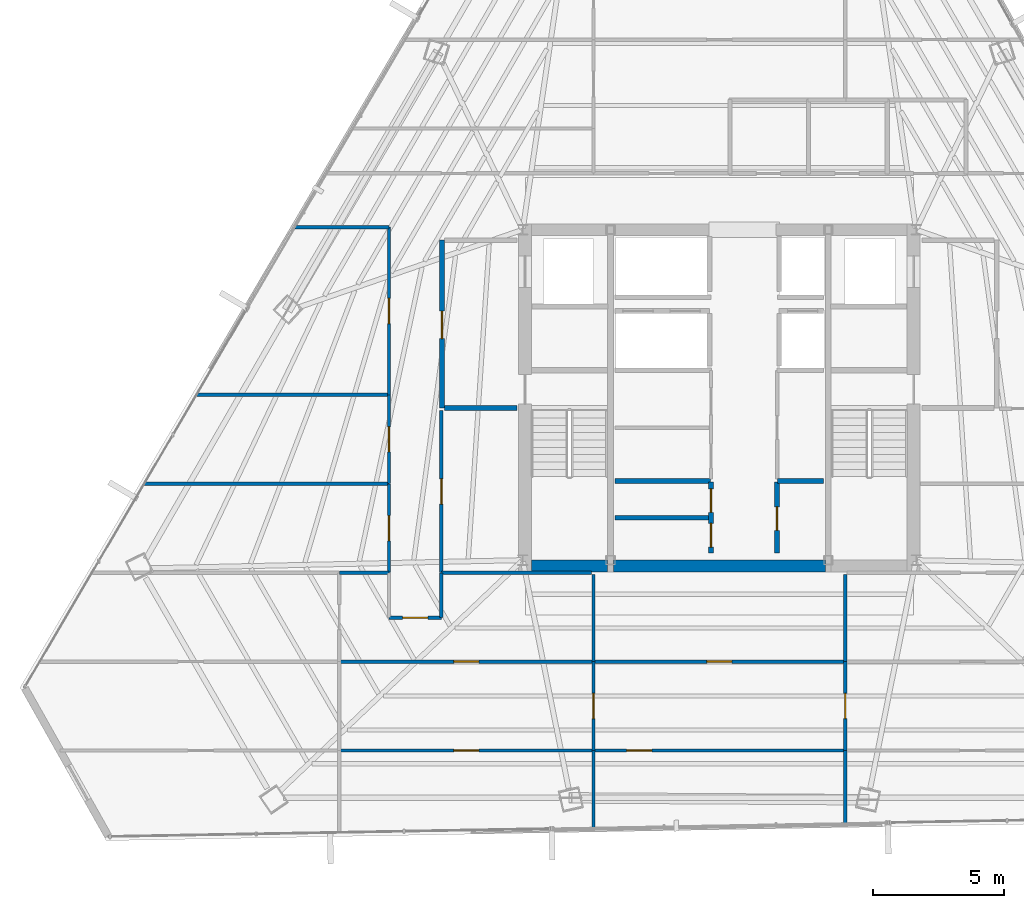
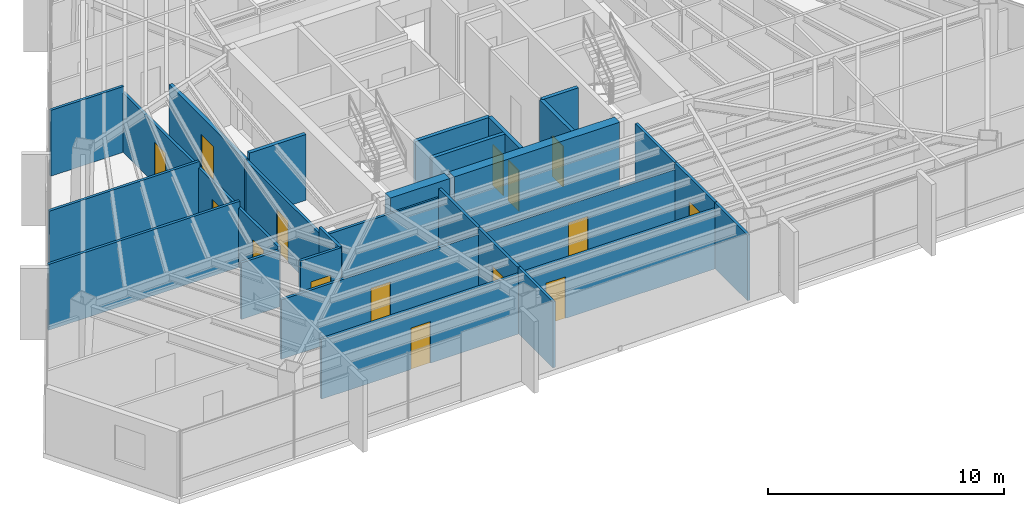
# One storey, part 35 of 42: 30 walls, 15 doors, 15 openings.
"""IFC4 building model written with IfcOpenShell, lengths in metres."""

from ifc_helpers import new_model, si_unit, direction, frame, frame_2d, origin, place, context, subcontext, project, spatial, rectangle, extrude, material, layer, layer_set, type_object, element, fill, save


model = new_model("IFC4")

# Units and contexts
model_context = context("Model", 3, precision=1e-05, world=origin(), true_north=direction((0.0, 1.0)))
body_context = subcontext(model_context, "Body", "Model", "MODEL_VIEW")
ifc_project = project(units=[si_unit("LENGTHUNIT", "METRE"), si_unit("AREAUNIT", "SQUARE_METRE"), si_unit("VOLUMEUNIT", "CUBIC_METRE"), si_unit("PLANEANGLEUNIT", "RADIAN"), si_unit("MASSUNIT", "GRAM", prefix="KILO")], contexts=[model_context])

# Site, building, storey
site_placement = place(None, origin())
site = spatial("IfcSite", under=ifc_project, at=site_placement, CompositionType="ELEMENT")
building_placement = place(site_placement, origin())
building = spatial("IfcBuilding", under=site, at=building_placement, Name="Caelisora Broadcast Tower", CompositionType="ELEMENT")
storey_placement = place(building_placement, frame((0.0, 0.0, 202.300048828125)))
storey = spatial("IfcBuildingStorey", under=building, at=storey_placement, Name="L53", CompositionType="ELEMENT", Elevation=202.300048828125)

# Walls
ifc_material_1 = material(Name="Concrete 50 MPa (AS 3600 S50)", Category="concrete")
ifc_layer_1 = layer(ifc_material_1, 0.449951171875, Name="Concrete 50 MPa (AS 3600 S50)")
ifc_layer_set_1 = layer_set([ifc_layer_1], Name="Concrete 50 MPa (AS 3600 S50)")
wall_type_1 = type_object("IfcWallType", Name="CW5", PredefinedType="SHEAR", material=ifc_layer_set_1)
wall_1_placement = place(storey_placement, frame((30.840087890625, 17.175048828125, 0.0), z_axis=(0.0, 0.0, 1.0), x_axis=(1.0, 0.0, 0.0)))
element("IfcWall", 1, at=wall_1_placement, inside=storey, type_object=wall_type_1, Name="L53 core shear wall CW5", PredefinedType="SHEAR", context=body_context, shape_type="SweptSolid", body=[
    extrude(rectangle(XDim=2.89990234375, YDim=0.449951171875, at=frame_2d((1.449951171875, 0.0))), origin(), (0.0, 0.0, 1.0), 3.64990234375),
])
wall_2_placement = place(storey_placement, frame((33.9599609375, 17.175048828125, 0.0), z_axis=(0.0, 0.0, 1.0), x_axis=(1.0, 0.0, 0.0)))
element("IfcWall", 2, at=wall_2_placement, inside=storey, type_object=wall_type_1, Name="L53 core shear wall CW5", PredefinedType="SHEAR", context=body_context, shape_type="SweptSolid", body=[
    extrude(rectangle(XDim=8.080078125, YDim=0.449951171875, at=frame_2d((4.0400390625, 0.0))), origin(), (0.0, 0.0, 1.0), 3.64990234375),
])

# Wall, opening, door
ifc_material_2 = material(Name="Fire-Rated Gypsum Shaft and Compartment Wall", Category="gypsum")
ifc_layer_2 = layer(ifc_material_2, 0.179931640625, Name="Fire-Rated Gypsum Shaft and Compartment Wall")
ifc_layer_set_2 = layer_set([ifc_layer_2], Name="Fire-Rated Gypsum Shaft and Compartment Wall")
wall_type_2 = type_object("IfcWallType", Name="PW2", PredefinedType="PARTITIONING", material=ifc_layer_set_2)
wall_3_placement = place(storey_placement, frame((27.419921875, 23.199951171875, 0.0), z_axis=(0.0, 0.0, 1.0), x_axis=(0.0, 1.0, 0.0)))
wall_3 = element("IfcWall", 3, at=wall_3_placement, inside=storey, type_object=wall_type_2, Name="L53 fire compartment wall PW2", PredefinedType="PARTITIONING", context=body_context, shape_type="SweptSolid", body=[
    extrude(rectangle(XDim=6.400146484375, YDim=0.179931640625, at=frame_2d((3.2001953125, 0.0))), origin(), (0.0, 0.0, 1.0), 3.07763671875),
])
opening_1_placement = place(wall_3_placement, frame((2.64990234375, 0.0, 0.0)))
opening_1 = element("IfcOpeningElement", 4, at=opening_1_placement, cuts=wall_3, Name="Opening FD02", PredefinedType="OPENING", context=body_context, shape_type="SweptSolid", body=[
    extrude(rectangle(XDim=1.050048828125, YDim=2.14990234375, at=frame_2d((0.52490234375, 1.074951171875))), frame((0.0, 0.10205078125, 0.0), z_axis=(0.0, -1.0, 0.0), x_axis=(1.0, 0.0, 0.0)), (0.0, 0.0, 1.0), 0.203857421875),
])
ifc_material_3 = material(Name="Single-Leaf Steel Fire Lobby Door", Category="steel")
door_type_1 = type_object("IfcDoorType", Name="FD02", OperationType="NOTDEFINED", PredefinedType="DOOR", material=ifc_material_3)
door_1_placement = place(opening_1_placement, origin())
door_1 = element("IfcDoor", 5, at=door_1_placement, inside=storey, type_object=door_type_1, Name="L53 door FD02 (L53-DR-P01D1)", OperationType="SINGLE_SWING_RIGHT", OverallHeight=2.14990234375, OverallWidth=1.050048828125, PredefinedType="DOOR", context=body_context, shape_type="SweptSolid", body=[
    extrude(rectangle(XDim=1.050048828125, YDim=2.14990234375, at=frame_2d((0.52490234375, 1.074951171875))), frame((0.0, 0.02490234375, 0.0), z_axis=(0.0, -1.0, 0.0), x_axis=(1.0, 0.0, 0.0)), (0.0, 0.0, 1.0), 0.050048828125),
])
fill(opening_1, door_1)

# Walls
wall_4_placement = place(storey_placement, frame((27.52001953125, 23.199951171875, 0.0), z_axis=(0.0, 0.0, 1.0), x_axis=(1.0, 0.0, 0.0)))
element("IfcWall", 6, at=wall_4_placement, inside=storey, type_object=wall_type_2, Name="L53 fire compartment wall PW2", PredefinedType="PARTITIONING", context=body_context, shape_type="SweptSolid", body=[
    extrude(rectangle(XDim=2.760009765625, YDim=0.179931640625, at=frame_2d((1.3798828125, 0.0))), origin(), (0.0, 0.0, 1.0), 3.39990234375),
])
wall_5_placement = place(storey_placement, frame((34.02001953125, 20.419921875, 0.0), z_axis=(0.0, 0.0, 1.0), x_axis=(1.0, 0.0, 0.0)))
element("IfcWall", 7, at=wall_5_placement, inside=storey, type_object=wall_type_2, Name="L53 fire compartment wall PW2", PredefinedType="PARTITIONING", context=body_context, shape_type="SweptSolid", body=[
    extrude(rectangle(XDim=3.639892578125, YDim=0.179931640625, at=frame_2d((1.81982421875, 0.0))), origin(), (0.0, 0.0, 1.0), 3.39990234375),
])
wall_6_placement = place(storey_placement, frame((40.219970703125, 20.419921875, 0.0), z_axis=(0.0, 0.0, 1.0), x_axis=(1.0, 0.0, 0.0)))
element("IfcWall", 8, at=wall_6_placement, inside=storey, type_object=wall_type_2, Name="L53 fire compartment wall PW2", PredefinedType="PARTITIONING", context=body_context, shape_type="SweptSolid", body=[
    extrude(rectangle(XDim=1.760009765625, YDim=0.179931640625, at=frame_2d((0.8798828125, 0.0))), origin(), (0.0, 0.0, 1.0), 3.39990234375),
])
wall_7_placement = place(storey_placement, frame((34.02001953125, 19.02001953125, 0.0), z_axis=(0.0, 0.0, 1.0), x_axis=(1.0, 0.0, 0.0)))
element("IfcWall", 9, at=wall_7_placement, inside=storey, type_object=wall_type_2, Name="L53 fire compartment wall PW2", PredefinedType="PARTITIONING", context=body_context, shape_type="SweptSolid", body=[
    extrude(rectangle(XDim=3.580078125, YDim=0.179931640625, at=frame_2d((1.7900390625, 0.0))), origin(), (0.0, 0.0, 1.0), 3.39990234375),
])

# Wall, openings, doors
wall_8_placement = place(storey_placement, frame((37.679931640625, 17.679931640625, 0.0), z_axis=(0.0, 0.0, 1.0), x_axis=(0.0, 1.0, 0.0)))
wall_8 = element("IfcWall", 10, at=wall_8_placement, inside=storey, type_object=wall_type_2, Name="L53 fire compartment wall PW2", PredefinedType="PARTITIONING", context=body_context, shape_type="SweptSolid", body=[
    extrude(rectangle(XDim=2.699951171875, YDim=0.179931640625, at=frame_2d((1.35009765625, 0.0))), origin(), (0.0, 0.0, 1.0), 3.39990234375),
])
opening_2_placement = place(wall_8_placement, frame((0.219970703125, 0.0, 0.0)))
opening_2 = element("IfcOpeningElement", 11, at=opening_2_placement, cuts=wall_8, Name="Opening FD03", PredefinedType="OPENING", context=body_context, shape_type="SweptSolid", body=[
    extrude(rectangle(XDim=0.89990234375, YDim=2.10009765625, at=frame_2d((0.449951171875, 1.050048828125))), frame((0.0, 0.10205078125, 0.0), z_axis=(0.0, -1.0, 0.0), x_axis=(1.0, 0.0, 0.0)), (0.0, 0.0, 1.0), 0.203857421875),
])
opening_3_placement = place(wall_8_placement, frame((1.5400390625, 0.0, 0.0)))
opening_3 = element("IfcOpeningElement", 12, at=opening_3_placement, cuts=wall_8, Name="Opening FD03", PredefinedType="OPENING", context=body_context, shape_type="SweptSolid", body=[
    extrude(rectangle(XDim=0.89990234375, YDim=2.10009765625, at=frame_2d((0.449951171875, 1.050048828125))), frame((0.0, 0.10205078125, 0.0), z_axis=(0.0, -1.0, 0.0), x_axis=(1.0, 0.0, 0.0)), (0.0, 0.0, 1.0), 0.203857421875),
])
ifc_material_4 = material(Name="Single-Leaf Steel Riser Fire Access Door", Category="steel")
door_type_2 = type_object("IfcDoorType", Name="FD03", OperationType="NOTDEFINED", PredefinedType="DOOR", material=ifc_material_4)
door_2_placement = place(opening_2_placement, origin())
door_2 = element("IfcDoor", 13, at=door_2_placement, inside=storey, type_object=door_type_2, Name="L53 door FD03 (L53-DR-P15D1)", OperationType="SINGLE_SWING_LEFT", OverallHeight=2.10009765625, OverallWidth=0.89990234375, PredefinedType="DOOR", context=body_context, shape_type="SweptSolid", body=[
    extrude(rectangle(XDim=0.89990234375, YDim=2.10009765625, at=frame_2d((0.449951171875, 1.050048828125))), frame((0.0, 0.02490234375, 0.0), z_axis=(0.0, -1.0, 0.0), x_axis=(1.0, 0.0, 0.0)), (0.0, 0.0, 1.0), 0.050048828125),
])
fill(opening_2, door_2)
door_3_placement = place(opening_3_placement, origin())
door_3 = element("IfcDoor", 14, at=door_3_placement, inside=storey, type_object=door_type_2, Name="L53 door FD03 (L53-DR-P15D2)", OperationType="SINGLE_SWING_RIGHT", OverallHeight=2.10009765625, OverallWidth=0.89990234375, PredefinedType="DOOR", context=body_context, shape_type="SweptSolid", body=[
    extrude(rectangle(XDim=0.89990234375, YDim=2.10009765625, at=frame_2d((0.449951171875, 1.050048828125))), frame((0.0, 0.02490234375, 0.0), z_axis=(0.0, -1.0, 0.0), x_axis=(1.0, 0.0, 0.0)), (0.0, 0.0, 1.0), 0.050048828125),
])
fill(opening_3, door_3)

# Wall, opening, door
wall_9_placement = place(storey_placement, frame((40.199951171875, 17.679931640625, 0.0), z_axis=(0.0, 0.0, 1.0), x_axis=(0.0, 1.0, 0.0)))
wall_9 = element("IfcWall", 15, at=wall_9_placement, inside=storey, type_object=wall_type_2, Name="L53 fire compartment wall PW2", PredefinedType="PARTITIONING", context=body_context, shape_type="SweptSolid", body=[
    extrude(rectangle(XDim=2.699951171875, YDim=0.179931640625, at=frame_2d((1.35009765625, 0.0))), origin(), (0.0, 0.0, 1.0), 3.39990234375),
])
opening_4_placement = place(wall_9_placement, frame((0.85009765625, 0.0, 0.0)))
opening_4 = element("IfcOpeningElement", 16, at=opening_4_placement, cuts=wall_9, Name="Opening FD03", PredefinedType="OPENING", context=body_context, shape_type="SweptSolid", body=[
    extrude(rectangle(XDim=0.89990234375, YDim=2.10009765625, at=frame_2d((0.449951171875, 1.050048828125))), frame((0.0, 0.10205078125, 0.0), z_axis=(0.0, -1.0, 0.0), x_axis=(1.0, 0.0, 0.0)), (0.0, 0.0, 1.0), 0.203857421875),
])
door_4_placement = place(opening_4_placement, origin())
door_4 = element("IfcDoor", 17, at=door_4_placement, inside=storey, type_object=door_type_2, Name="L53 door FD03 (L53-DR-P16D1)", OperationType="SINGLE_SWING_LEFT", OverallHeight=2.10009765625, OverallWidth=0.89990234375, PredefinedType="DOOR", context=body_context, shape_type="SweptSolid", body=[
    extrude(rectangle(XDim=0.89990234375, YDim=2.10009765625, at=frame_2d((0.449951171875, 1.050048828125))), frame((0.0, 0.02490234375, 0.0), z_axis=(0.0, -1.0, 0.0), x_axis=(1.0, 0.0, 0.0)), (0.0, 0.0, 1.0), 0.050048828125),
])
fill(opening_4, door_4)

ifc_material_5 = material(Name="Acoustic Steel-Stud Plasterboard Partition", Category="gypsum")
ifc_layer_3 = layer(ifc_material_5, 0.1298828125, Name="Acoustic Steel-Stud Plasterboard Partition")
ifc_layer_set_3 = layer_set([ifc_layer_3], Name="Acoustic Steel-Stud Plasterboard Partition")
wall_type_3 = type_object("IfcWallType", Name="PW3", PredefinedType="PARTITIONING", material=ifc_layer_set_3)
wall_10_placement = place(storey_placement, frame((23.5048828125, 13.530029296875, 0.0), z_axis=(0.0, 0.0, 1.0), x_axis=(1.0, 0.0, 0.0)))
wall_10 = element("IfcWall", 18, at=wall_10_placement, inside=storey, type_object=wall_type_3, Name="L53 internal partition PW3", PredefinedType="PARTITIONING", context=body_context, shape_type="SweptSolid", body=[
    extrude(rectangle(XDim=9.690185546875, YDim=0.1298828125, at=frame_2d((4.84521484375, 0.0))), origin(), (0.0, 0.0, 1.0), 3.07763671875),
])
opening_5_placement = place(wall_10_placement, frame((4.364990234375, 0.0, 0.0)))
opening_5 = element("IfcOpeningElement", 19, at=opening_5_placement, cuts=wall_10, Name="Opening D01", PredefinedType="OPENING", context=body_context, shape_type="SweptSolid", body=[
    extrude(rectangle(XDim=0.9599609375, YDim=2.14990234375, at=frame_2d((0.47998046875, 1.074951171875))), frame((0.0, 0.076904296875, 0.0), z_axis=(0.0, -1.0, 0.0), x_axis=(1.0, 0.0, 0.0)), (0.0, 0.0, 1.0), 0.15380859375),
])
ifc_material_6 = material(Name="Solid-Core Timber Acoustic Office Door", Category="wood")
door_type_3 = type_object("IfcDoorType", Name="D01", OperationType="NOTDEFINED", PredefinedType="DOOR", material=ifc_material_6)
door_5_placement = place(opening_5_placement, origin())
door_5 = element("IfcDoor", 20, at=door_5_placement, inside=storey, type_object=door_type_3, Name="L53 door D01 (L53-DR-P32D1)", OperationType="SINGLE_SWING_RIGHT", OverallHeight=2.14990234375, OverallWidth=0.9599609375, PredefinedType="DOOR", context=body_context, shape_type="SweptSolid", body=[
    extrude(rectangle(XDim=0.9599609375, YDim=2.14990234375, at=frame_2d((0.47998046875, 1.074951171875))), frame((0.0, 0.02490234375, 0.0), z_axis=(0.0, -1.0, 0.0), x_axis=(1.0, 0.0, 0.0)), (0.0, 0.0, 1.0), 0.050048828125),
])
fill(opening_5, door_5)

wall_11_placement = place(storey_placement, frame((23.5048828125, 10.139892578125, 0.0), z_axis=(0.0, 0.0, 1.0), x_axis=(1.0, 0.0, 0.0)))
wall_11 = element("IfcWall", 21, at=wall_11_placement, inside=storey, type_object=wall_type_3, Name="L53 internal partition PW3", PredefinedType="PARTITIONING", context=body_context, shape_type="SweptSolid", body=[
    extrude(rectangle(XDim=9.690185546875, YDim=0.1298828125, at=frame_2d((4.84521484375, 0.0))), origin(), (0.0, 0.0, 1.0), 3.07763671875),
])
opening_6_placement = place(wall_11_placement, frame((4.364990234375, 0.0, 0.0)))
opening_6 = element("IfcOpeningElement", 22, at=opening_6_placement, cuts=wall_11, Name="Opening D01", PredefinedType="OPENING", context=body_context, shape_type="SweptSolid", body=[
    extrude(rectangle(XDim=0.9599609375, YDim=2.14990234375, at=frame_2d((0.47998046875, 1.074951171875))), frame((0.0, 0.076904296875, 0.0), z_axis=(0.0, -1.0, 0.0), x_axis=(1.0, 0.0, 0.0)), (0.0, 0.0, 1.0), 0.15380859375),
])
door_6_placement = place(opening_6_placement, origin())
door_6 = element("IfcDoor", 23, at=door_6_placement, inside=storey, type_object=door_type_3, Name="L53 door D01 (L53-DR-P33D1)", OperationType="SINGLE_SWING_LEFT", OverallHeight=2.14990234375, OverallWidth=0.9599609375, PredefinedType="DOOR", context=body_context, shape_type="SweptSolid", body=[
    extrude(rectangle(XDim=0.9599609375, YDim=2.14990234375, at=frame_2d((0.47998046875, 1.074951171875))), frame((0.0, 0.02490234375, 0.0), z_axis=(0.0, -1.0, 0.0), x_axis=(1.0, 0.0, 0.0)), (0.0, 0.0, 1.0), 0.050048828125),
])
fill(opening_6, door_6)

wall_12_placement = place(storey_placement, frame((33.205078125, 10.139892578125, 0.0), z_axis=(0.0, 0.0, 1.0), x_axis=(1.0, 0.0, 0.0)))
wall_12 = element("IfcWall", 24, at=wall_12_placement, inside=storey, type_object=wall_type_3, Name="L53 internal partition PW3", PredefinedType="PARTITIONING", context=body_context, shape_type="SweptSolid", body=[
    extrude(rectangle(XDim=9.58984375, YDim=0.1298828125, at=frame_2d((4.794921875, 0.0))), origin(), (0.0, 0.0, 1.0), 3.07763671875),
])
opening_7_placement = place(wall_12_placement, frame((1.260009765625, 0.0, 0.0)))
opening_7 = element("IfcOpeningElement", 25, at=opening_7_placement, cuts=wall_12, Name="Opening D01", PredefinedType="OPENING", context=body_context, shape_type="SweptSolid", body=[
    extrude(rectangle(XDim=0.9599609375, YDim=2.14990234375, at=frame_2d((0.47998046875, 1.074951171875))), frame((0.0, 0.076904296875, 0.0), z_axis=(0.0, -1.0, 0.0), x_axis=(1.0, 0.0, 0.0)), (0.0, 0.0, 1.0), 0.15380859375),
])
door_7_placement = place(opening_7_placement, origin())
door_7 = element("IfcDoor", 26, at=door_7_placement, inside=storey, type_object=door_type_3, Name="L53 door D01 (L53-DR-P37D1)", OperationType="SINGLE_SWING_LEFT", OverallHeight=2.14990234375, OverallWidth=0.9599609375, PredefinedType="DOOR", context=body_context, shape_type="SweptSolid", body=[
    extrude(rectangle(XDim=0.9599609375, YDim=2.14990234375, at=frame_2d((0.47998046875, 1.074951171875))), frame((0.0, 0.02490234375, 0.0), z_axis=(0.0, -1.0, 0.0), x_axis=(1.0, 0.0, 0.0)), (0.0, 0.0, 1.0), 0.050048828125),
])
fill(opening_7, door_7)

wall_13_placement = place(storey_placement, frame((33.205078125, 13.530029296875, 0.0), z_axis=(0.0, 0.0, 1.0), x_axis=(1.0, 0.0, 0.0)))
wall_13 = element("IfcWall", 27, at=wall_13_placement, inside=storey, type_object=wall_type_3, Name="L53 internal partition PW3", PredefinedType="PARTITIONING", context=body_context, shape_type="SweptSolid", body=[
    extrude(rectangle(XDim=9.58984375, YDim=0.1298828125, at=frame_2d((4.794921875, 0.0))), origin(), (0.0, 0.0, 1.0), 3.07763671875),
])
opening_8_placement = place(wall_13_placement, frame((4.31494140625, 0.0, 0.0)))
opening_8 = element("IfcOpeningElement", 28, at=opening_8_placement, cuts=wall_13, Name="Opening D01", PredefinedType="OPENING", context=body_context, shape_type="SweptSolid", body=[
    extrude(rectangle(XDim=0.9599609375, YDim=2.14990234375, at=frame_2d((0.47998046875, 1.074951171875))), frame((0.0, 0.076904296875, 0.0), z_axis=(0.0, -1.0, 0.0), x_axis=(1.0, 0.0, 0.0)), (0.0, 0.0, 1.0), 0.15380859375),
])
door_8_placement = place(opening_8_placement, origin())
door_8 = element("IfcDoor", 29, at=door_8_placement, inside=storey, type_object=door_type_3, Name="L53 door D01 (L53-DR-P38D1)", OperationType="SINGLE_SWING_RIGHT", OverallHeight=2.14990234375, OverallWidth=0.9599609375, PredefinedType="DOOR", context=body_context, shape_type="SweptSolid", body=[
    extrude(rectangle(XDim=0.9599609375, YDim=2.14990234375, at=frame_2d((0.47998046875, 1.074951171875))), frame((0.0, 0.02490234375, 0.0), z_axis=(0.0, -1.0, 0.0), x_axis=(1.0, 0.0, 0.0)), (0.0, 0.0, 1.0), 0.050048828125),
])
fill(opening_8, door_8)

# Walls
wall_14_placement = place(storey_placement, frame((16.06005859375, 20.31005859375, 0.0), z_axis=(0.0, 0.0, 1.0), x_axis=(1.0, 0.0, 0.0)))
element("IfcWall", 30, at=wall_14_placement, inside=storey, type_object=wall_type_3, Name="L53 internal partition PW3", PredefinedType="PARTITIONING", context=body_context, shape_type="SweptSolid", body=[
    extrude(rectangle(XDim=9.3349609375, YDim=0.1298828125, at=frame_2d((4.66748046875, 0.0))), origin(), (0.0, 0.0, 1.0), 3.39990234375),
])
wall_15_placement = place(storey_placement, frame((18.05078125, 23.699951171875, 0.0), z_axis=(0.0, 0.0, 1.0), x_axis=(1.0, 0.0, 0.0)))
element("IfcWall", 31, at=wall_15_placement, inside=storey, type_object=wall_type_3, Name="L53 internal partition PW3", PredefinedType="PARTITIONING", context=body_context, shape_type="SweptSolid", body=[
    extrude(rectangle(XDim=7.34423828125, YDim=0.1298828125, at=frame_2d((3.672119140625, 0.0))), origin(), (0.0, 0.0, 1.0), 3.39990234375),
])

# Wall, opening, door
wall_16_placement = place(storey_placement, frame((25.39990234375, 30.094970703125, 0.0), z_axis=(0.0, 0.0, 1.0), x_axis=(0.0, -1.0, 0.0)))
wall_16 = element("IfcWall", 32, at=wall_16_placement, inside=storey, type_object=wall_type_3, Name="L53 internal partition PW3", PredefinedType="PARTITIONING", context=body_context, shape_type="SweptSolid", body=[
    extrude(rectangle(XDim=6.389892578125, YDim=0.1298828125, at=frame_2d((3.19482421875, 0.0))), origin(), (0.0, 0.0, 1.0), 3.07763671875),
])
opening_9_placement = place(wall_16_placement, frame((2.715087890625, 0.0, 0.0)))
opening_9 = element("IfcOpeningElement", 33, at=opening_9_placement, cuts=wall_16, Name="Opening D01", PredefinedType="OPENING", context=body_context, shape_type="SweptSolid", body=[
    extrude(rectangle(XDim=0.9599609375, YDim=2.14990234375, at=frame_2d((0.47998046875, 1.074951171875))), frame((0.0, 0.076904296875, 0.0), z_axis=(0.0, -1.0, 0.0), x_axis=(1.0, 0.0, 0.0)), (0.0, 0.0, 1.0), 0.15380859375),
])
door_9_placement = place(opening_9_placement, origin())
door_9 = element("IfcDoor", 34, at=door_9_placement, inside=storey, type_object=door_type_3, Name="L53 door D01 (L53-DR-P55D1)", OperationType="SINGLE_SWING_LEFT", OverallHeight=2.14990234375, OverallWidth=0.9599609375, PredefinedType="DOOR", context=body_context, shape_type="SweptSolid", body=[
    extrude(rectangle(XDim=0.9599609375, YDim=2.14990234375, at=frame_2d((0.47998046875, 1.074951171875))), frame((0.0, 0.02490234375, 0.0), z_axis=(0.0, -1.0, 0.0), x_axis=(1.0, 0.0, 0.0)), (0.0, 0.0, 1.0), 0.050048828125),
])
fill(opening_9, door_9)

wall_17_placement = place(storey_placement, frame((27.39990234375, 16.925048828125, 0.0), z_axis=(0.0, 0.0, 1.0), x_axis=(0.0, 1.0, 0.0)))
wall_17 = element("IfcWall", 35, at=wall_17_placement, inside=storey, type_object=wall_type_3, Name="L53 internal partition PW3", PredefinedType="PARTITIONING", context=body_context, shape_type="SweptSolid", body=[
    extrude(rectangle(XDim=6.179931640625, YDim=0.1298828125, at=frame_2d((3.08984375, 0.0))), origin(), (0.0, 0.0, 1.0), 3.07763671875),
])
opening_10_placement = place(wall_17_placement, frame((2.610107421875, 0.0, 0.0)))
opening_10 = element("IfcOpeningElement", 36, at=opening_10_placement, cuts=wall_17, Name="Opening D01", PredefinedType="OPENING", context=body_context, shape_type="SweptSolid", body=[
    extrude(rectangle(XDim=0.9599609375, YDim=2.14990234375, at=frame_2d((0.47998046875, 1.074951171875))), frame((0.0, 0.076904296875, 0.0), z_axis=(0.0, -1.0, 0.0), x_axis=(1.0, 0.0, 0.0)), (0.0, 0.0, 1.0), 0.15380859375),
])
door_10_placement = place(opening_10_placement, origin())
door_10 = element("IfcDoor", 37, at=door_10_placement, inside=storey, type_object=door_type_3, Name="L53 door D01 (L53-DR-P57D1)", OperationType="SINGLE_SWING_LEFT", OverallHeight=2.14990234375, OverallWidth=0.9599609375, PredefinedType="DOOR", context=body_context, shape_type="SweptSolid", body=[
    extrude(rectangle(XDim=0.9599609375, YDim=2.14990234375, at=frame_2d((0.47998046875, 1.074951171875))), frame((0.0, 0.02490234375, 0.0), z_axis=(0.0, -1.0, 0.0), x_axis=(1.0, 0.0, 0.0)), (0.0, 0.0, 1.0), 0.050048828125),
])
fill(opening_10, door_10)

# Walls
wall_18_placement = place(storey_placement, frame((27.405029296875, 16.919921875, 0.0), z_axis=(0.0, 0.0, 1.0), x_axis=(1.0, 0.0, 0.0)))
element("IfcWall", 38, at=wall_18_placement, inside=storey, type_object=wall_type_3, Name="L53 internal partition PW3", PredefinedType="PARTITIONING", context=body_context, shape_type="SweptSolid", body=[
    extrude(rectangle(XDim=5.719970703125, YDim=0.1298828125, at=frame_2d((2.85986328125, 0.0))), origin(), (0.0, 0.0, 1.0), 2.924560546875),
])
wall_19_placement = place(storey_placement, frame((21.8095703125, 30.10009765625, 0.0), z_axis=(0.0, 0.0, 1.0), x_axis=(1.0, 0.0, 0.0)))
element("IfcWall", 39, at=wall_19_placement, inside=storey, type_object=wall_type_3, Name="L53 internal partition PW3", PredefinedType="PARTITIONING", context=body_context, shape_type="SweptSolid", body=[
    extrude(rectangle(XDim=3.58544921875, YDim=0.1298828125, at=frame_2d((1.792724609375, 0.0))), origin(), (0.0, 0.0, 1.0), 3.39990234375),
])
for number, where, z_axis, x_axis, name in (
    (40, (33.199951171875, 13.534912109375, 0.0), (0.0, 0.0, 1.0), (0.0, 1.0, 0.0), "L53 internal partition PW3"),
    (41, (42.800048828125, 13.534912109375, 0.0), (0.0, 0.0, 1.0), (0.0, 1.0, 0.0), "L53 internal partition PW3"),
):
    element("IfcWall", number, at=place(storey_placement, frame(where, z_axis=z_axis, x_axis=x_axis)), inside=storey, type_object=wall_type_3, Name=name, PredefinedType="PARTITIONING", context=body_context, shape_type="SweptSolid", body=[
        extrude(rectangle(XDim=3.31005859375, YDim=0.1298828125, at=frame_2d((1.655029296875, 0.0))), origin(), (0.0, 0.0, 1.0), 3.39990234375),
    ])

# Wall, opening, door
wall_20_placement = place(storey_placement, frame((25.39990234375, 20.31494140625, 0.0), z_axis=(0.0, 0.0, 1.0), x_axis=(0.0, 1.0, 0.0)))
wall_20 = element("IfcWall", 42, at=wall_20_placement, inside=storey, type_object=wall_type_3, Name="L53 internal partition PW3", PredefinedType="PARTITIONING", context=body_context, shape_type="SweptSolid", body=[
    extrude(rectangle(XDim=3.380126953125, YDim=0.1298828125, at=frame_2d((1.68994140625, 0.0))), origin(), (0.0, 0.0, 1.0), 3.07763671875),
])
opening_11_placement = place(wall_20_placement, frame((1.2099609375, 0.0, 0.0)))
opening_11 = element("IfcOpeningElement", 43, at=opening_11_placement, cuts=wall_20, Name="Opening D01", PredefinedType="OPENING", context=body_context, shape_type="SweptSolid", body=[
    extrude(rectangle(XDim=0.9599609375, YDim=2.14990234375, at=frame_2d((0.47998046875, 1.074951171875))), frame((0.0, 0.076904296875, 0.0), z_axis=(0.0, -1.0, 0.0), x_axis=(1.0, 0.0, 0.0)), (0.0, 0.0, 1.0), 0.15380859375),
])
door_11_placement = place(opening_11_placement, origin())
door_11 = element("IfcDoor", 44, at=door_11_placement, inside=storey, type_object=door_type_3, Name="L53 door D01 (L53-DR-P70D1)", OperationType="SINGLE_SWING_RIGHT", OverallHeight=2.14990234375, OverallWidth=0.9599609375, PredefinedType="DOOR", context=body_context, shape_type="SweptSolid", body=[
    extrude(rectangle(XDim=0.9599609375, YDim=2.14990234375, at=frame_2d((0.47998046875, 1.074951171875))), frame((0.0, 0.02490234375, 0.0), z_axis=(0.0, -1.0, 0.0), x_axis=(1.0, 0.0, 0.0)), (0.0, 0.0, 1.0), 0.050048828125),
])
fill(opening_11, door_11)

wall_21_placement = place(storey_placement, frame((33.199951171875, 10.14501953125, 0.0), z_axis=(0.0, 0.0, 1.0), x_axis=(0.0, 1.0, 0.0)))
wall_21 = element("IfcWall", 45, at=wall_21_placement, inside=storey, type_object=wall_type_3, Name="L53 internal partition PW3", PredefinedType="PARTITIONING", context=body_context, shape_type="SweptSolid", body=[
    extrude(rectangle(XDim=3.3798828125, YDim=0.1298828125, at=frame_2d((1.68994140625, 0.0))), origin(), (0.0, 0.0, 1.0), 3.39990234375),
])
opening_12_placement = place(wall_21_placement, frame((1.2099609375, 0.0, 0.0)))
opening_12 = element("IfcOpeningElement", 46, at=opening_12_placement, cuts=wall_21, Name="Opening D01", PredefinedType="OPENING", context=body_context, shape_type="SweptSolid", body=[
    extrude(rectangle(XDim=0.9599609375, YDim=2.14990234375, at=frame_2d((0.47998046875, 1.074951171875))), frame((0.0, 0.076904296875, 0.0), z_axis=(0.0, -1.0, 0.0), x_axis=(1.0, 0.0, 0.0)), (0.0, 0.0, 1.0), 0.15380859375),
])
door_12_placement = place(opening_12_placement, origin())
door_12 = element("IfcDoor", 47, at=door_12_placement, inside=storey, type_object=door_type_3, Name="L53 door D01 (L53-DR-P76D1)", OperationType="SINGLE_SWING_LEFT", OverallHeight=2.14990234375, OverallWidth=0.9599609375, PredefinedType="DOOR", context=body_context, shape_type="SweptSolid", body=[
    extrude(rectangle(XDim=0.9599609375, YDim=2.14990234375, at=frame_2d((0.47998046875, 1.074951171875))), frame((0.0, 0.02490234375, 0.0), z_axis=(0.0, -1.0, 0.0), x_axis=(1.0, 0.0, 0.0)), (0.0, 0.0, 1.0), 0.050048828125),
])
fill(opening_12, door_12)

wall_22_placement = place(storey_placement, frame((42.800048828125, 10.14501953125, 0.0), z_axis=(0.0, 0.0, 1.0), x_axis=(0.0, 1.0, 0.0)))
wall_22 = element("IfcWall", 48, at=wall_22_placement, inside=storey, type_object=wall_type_3, Name="L53 internal partition PW3", PredefinedType="PARTITIONING", context=body_context, shape_type="SweptSolid", body=[
    extrude(rectangle(XDim=3.3798828125, YDim=0.1298828125, at=frame_2d((1.68994140625, 0.0))), origin(), (0.0, 0.0, 1.0), 3.39990234375),
])
opening_13_placement = place(wall_22_placement, frame((1.2099609375, 0.0, 0.0)))
opening_13 = element("IfcOpeningElement", 49, at=opening_13_placement, cuts=wall_22, Name="Opening D01", PredefinedType="OPENING", context=body_context, shape_type="SweptSolid", body=[
    extrude(rectangle(XDim=0.9599609375, YDim=2.14990234375, at=frame_2d((0.47998046875, 1.074951171875))), frame((0.0, 0.076904296875, 0.0), z_axis=(0.0, -1.0, 0.0), x_axis=(1.0, 0.0, 0.0)), (0.0, 0.0, 1.0), 0.15380859375),
])
door_13_placement = place(opening_13_placement, origin())
door_13 = element("IfcDoor", 50, at=door_13_placement, inside=storey, type_object=door_type_3, Name="L53 door D01 (L53-DR-P77D1)", OperationType="SINGLE_SWING_RIGHT", OverallHeight=2.14990234375, OverallWidth=0.9599609375, PredefinedType="DOOR", context=body_context, shape_type="SweptSolid", body=[
    extrude(rectangle(XDim=0.9599609375, YDim=2.14990234375, at=frame_2d((0.47998046875, 1.074951171875))), frame((0.0, 0.02490234375, 0.0), z_axis=(0.0, -1.0, 0.0), x_axis=(1.0, 0.0, 0.0)), (0.0, 0.0, 1.0), 0.050048828125),
])
fill(opening_13, door_13)

wall_23_placement = place(storey_placement, frame((25.39990234375, 16.925048828125, 0.0), z_axis=(0.0, 0.0, 1.0), x_axis=(0.0, 1.0, 0.0)))
wall_23 = element("IfcWall", 51, at=wall_23_placement, inside=storey, type_object=wall_type_3, Name="L53 internal partition PW3", PredefinedType="PARTITIONING", context=body_context, shape_type="SweptSolid", body=[
    extrude(rectangle(XDim=3.3798828125, YDim=0.1298828125, at=frame_2d((1.68994140625, 0.0))), origin(), (0.0, 0.0, 1.0), 3.07763671875),
])
opening_14_placement = place(wall_23_placement, frame((1.2099609375, 0.0, 0.0)))
opening_14 = element("IfcOpeningElement", 52, at=opening_14_placement, cuts=wall_23, Name="Opening D01", PredefinedType="OPENING", context=body_context, shape_type="SweptSolid", body=[
    extrude(rectangle(XDim=0.9599609375, YDim=2.14990234375, at=frame_2d((0.47998046875, 1.074951171875))), frame((0.0, 0.076904296875, 0.0), z_axis=(0.0, -1.0, 0.0), x_axis=(1.0, 0.0, 0.0)), (0.0, 0.0, 1.0), 0.15380859375),
])
door_14_placement = place(opening_14_placement, origin())
door_14 = element("IfcDoor", 53, at=door_14_placement, inside=storey, type_object=door_type_3, Name="L53 door D01 (L53-DR-P79D1)", OperationType="SINGLE_SWING_RIGHT", OverallHeight=2.14990234375, OverallWidth=0.9599609375, PredefinedType="DOOR", context=body_context, shape_type="SweptSolid", body=[
    extrude(rectangle(XDim=0.9599609375, YDim=2.14990234375, at=frame_2d((0.47998046875, 1.074951171875))), frame((0.0, 0.02490234375, 0.0), z_axis=(0.0, -1.0, 0.0), x_axis=(1.0, 0.0, 0.0)), (0.0, 0.0, 1.0), 0.050048828125),
])
fill(opening_14, door_14)

# Walls
wall_24_placement = place(storey_placement, frame((33.199951171875, 7.178466796875, 0.0), z_axis=(0.0, 0.0, 1.0), x_axis=(0.0, 1.0, 0.0)))
element("IfcWall", 54, at=wall_24_placement, inside=storey, type_object=wall_type_3, Name="L53 internal partition PW3", PredefinedType="PARTITIONING", context=body_context, shape_type="SweptSolid", body=[
    extrude(rectangle(XDim=2.95654296875, YDim=0.1298828125, at=frame_2d((1.478271484375, 0.0))), origin(), (0.0, 0.0, 1.0), 3.39990234375),
])
wall_25_placement = place(storey_placement, frame((42.800048828125, 7.35009765625, 0.0), z_axis=(0.0, 0.0, 1.0), x_axis=(0.0, 1.0, 0.0)))
element("IfcWall", 55, at=wall_25_placement, inside=storey, type_object=wall_type_3, Name="L53 internal partition PW3", PredefinedType="PARTITIONING", context=body_context, shape_type="SweptSolid", body=[
    extrude(rectangle(XDim=2.784912109375, YDim=0.1298828125, at=frame_2d((1.392578125, 0.0))), origin(), (0.0, 0.0, 1.0), 3.39990234375),
])

# Wall, opening, door
wall_26_placement = place(storey_placement, frame((25.405029296875, 15.199951171875, 0.0), z_axis=(0.0, 0.0, 1.0), x_axis=(1.0, 0.0, 0.0)))
wall_26 = element("IfcWall", 56, at=wall_26_placement, inside=storey, type_object=wall_type_3, Name="L53 internal partition PW3", PredefinedType="PARTITIONING", context=body_context, shape_type="SweptSolid", body=[
    extrude(rectangle(XDim=1.989990234375, YDim=0.1298828125, at=frame_2d((0.9951171875, 0.0))), origin(), (0.0, 0.0, 1.0), 3.39990234375),
])
opening_15_placement = place(wall_26_placement, frame((0.514892578125, 0.0, 0.0)))
opening_15 = element("IfcOpeningElement", 57, at=opening_15_placement, cuts=wall_26, Name="Opening D01", PredefinedType="OPENING", context=body_context, shape_type="SweptSolid", body=[
    extrude(rectangle(XDim=0.9599609375, YDim=2.14990234375, at=frame_2d((0.47998046875, 1.074951171875))), frame((0.0, 0.076904296875, 0.0), z_axis=(0.0, -1.0, 0.0), x_axis=(1.0, 0.0, 0.0)), (0.0, 0.0, 1.0), 0.15380859375),
])
door_15_placement = place(opening_15_placement, origin())
door_15 = element("IfcDoor", 58, at=door_15_placement, inside=storey, type_object=door_type_3, Name="L53 door D01 (L53-DR-P90D1)", OperationType="SINGLE_SWING_LEFT", OverallHeight=2.14990234375, OverallWidth=0.9599609375, PredefinedType="DOOR", context=body_context, shape_type="SweptSolid", body=[
    extrude(rectangle(XDim=0.9599609375, YDim=2.14990234375, at=frame_2d((0.47998046875, 1.074951171875))), frame((0.0, 0.02490234375, 0.0), z_axis=(0.0, -1.0, 0.0), x_axis=(1.0, 0.0, 0.0)), (0.0, 0.0, 1.0), 0.050048828125),
])
fill(opening_15, door_15)

# Walls
wall_27_placement = place(storey_placement, frame((23.5048828125, 16.919921875, 0.0), z_axis=(0.0, 0.0, 1.0), x_axis=(1.0, 0.0, 0.0)))
element("IfcWall", 59, at=wall_27_placement, inside=storey, type_object=wall_type_3, Name="L53 internal partition PW3", PredefinedType="PARTITIONING", context=body_context, shape_type="SweptSolid", body=[
    extrude(rectangle(XDim=1.89013671875, YDim=0.1298828125, at=frame_2d((0.945068359375, 0.0))), origin(), (0.0, 0.0, 1.0), 2.924560546875),
])
wall_28_placement = place(storey_placement, frame((27.39990234375, 15.205078125, 0.0), z_axis=(0.0, 0.0, 1.0), x_axis=(0.0, 1.0, 0.0)))
element("IfcWall", 60, at=wall_28_placement, inside=storey, type_object=wall_type_3, Name="L53 internal partition PW3", PredefinedType="PARTITIONING", context=body_context, shape_type="SweptSolid", body=[
    extrude(rectangle(XDim=1.7099609375, YDim=0.1298828125, at=frame_2d((0.85498046875, 0.0))), origin(), (0.0, 0.0, 1.0), 3.39990234375),
])

save(model, "model.ifc")
